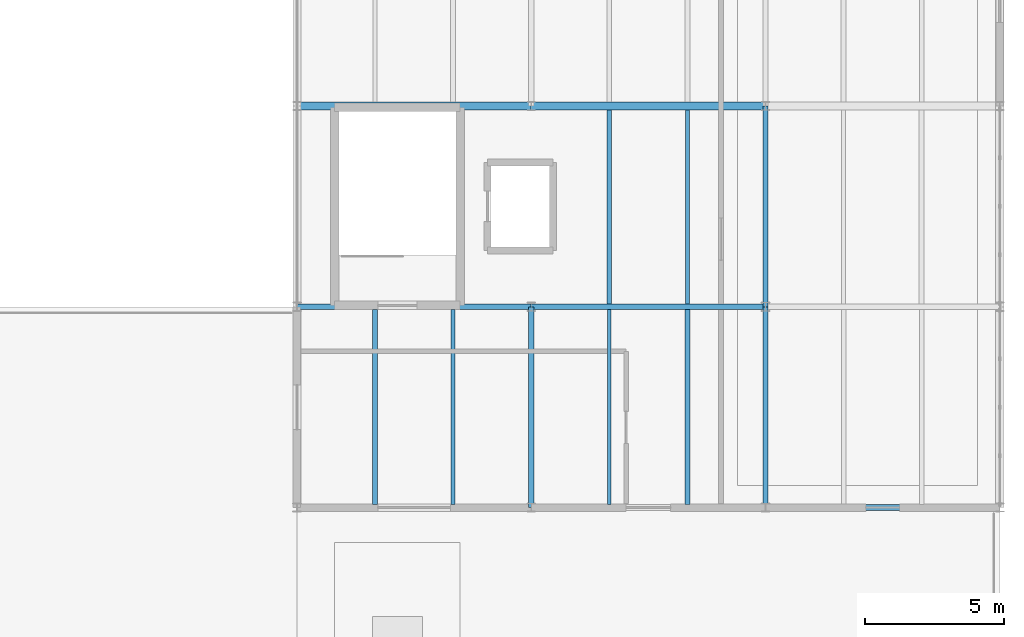
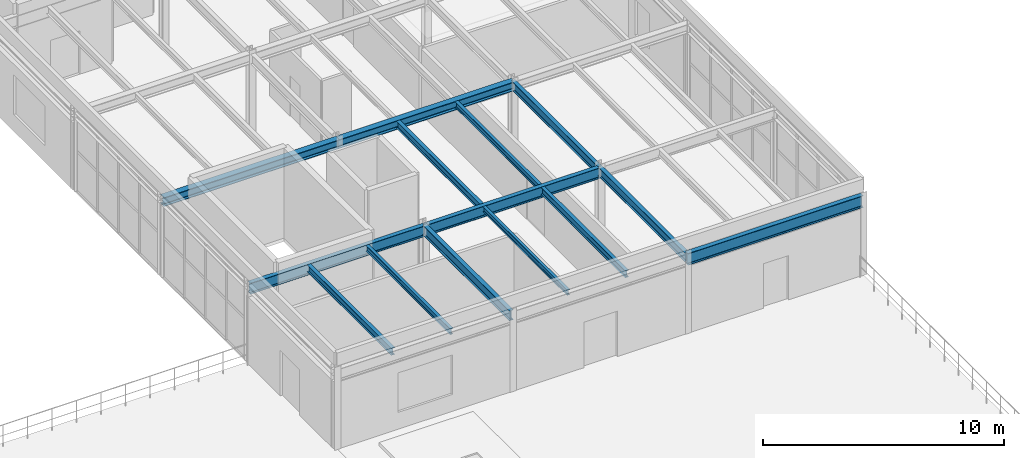
# One storey, part 56 of 77: 14 beams.
"""IFC4 building model written with IfcOpenShell, lengths in metres."""

from ifc_helpers import new_model, si_unit, derived_unit, direction, frame, origin, origin_2d, place, context, subcontext, project, spatial, i_section, extrude, material, material_profile, profile_set, type_object, element, save


model = new_model("IFC4")

# Units and contexts
model_context = context("Model", 3, precision=1e-05, world=origin(), true_north=direction((0.0, 1.0)))
body_context = subcontext(model_context, "Body", "Model", "MODEL_VIEW")
ifc_project = project(units=[si_unit("LENGTHUNIT", "METRE"), si_unit("AREAUNIT", "SQUARE_METRE"), si_unit("VOLUMEUNIT", "CUBIC_METRE"), si_unit("PLANEANGLEUNIT", "RADIAN"), si_unit("MASSUNIT", "GRAM", prefix="KILO"), derived_unit("THERMALTRANSMITTANCEUNIT", [(si_unit("MASSUNIT", "GRAM", prefix="KILO"), 1), (si_unit("TIMEUNIT", "SECOND"), -3), (si_unit("THERMODYNAMICTEMPERATUREUNIT", "KELVIN"), -1)])], contexts=[model_context])

# Site, building, storey
site_placement = place(None, origin())
site = spatial("IfcSite", under=ifc_project, at=site_placement, CompositionType="ELEMENT")
building_placement = place(site_placement, origin())
building = spatial("IfcBuilding", under=site, at=building_placement, Name="Kharveza Railside Sports Centre", CompositionType="ELEMENT")
storey_placement = place(building_placement, frame((0.0, 0.0, 17.10009765625)))
storey = spatial("IfcBuildingStorey", under=building, at=storey_placement, Name="L04", CompositionType="ELEMENT", Elevation=17.10009765625)

# Beams
ifc_material = material(Name="Steel S355J2", Category="steel")
ifc_material_profile_1 = material_profile(ifc_material, i_section(OverallWidth=0.219970703125, OverallDepth=0.60009765625, WebThickness=0.011962890625, FlangeThickness=0.01904296875, FilletRadius=0.02392578125, at=origin_2d()), Name="IPE 600")
ifc_profile_set_1 = profile_set([ifc_material_profile_1], Name="Steel S355J2")
beam_type_1 = type_object("IfcBeamType", Name="BM-G01", PredefinedType="T_BEAM", material=ifc_profile_set_1)
beam_1_placement = place(storey_placement, frame((159.60009765625, 28.800048828125, 3.7099609375), z_axis=(1.0, 0.0, 0.0), x_axis=(0.0, 1.0, 0.0)))
element("IfcBeam", 1, at=beam_1_placement, inside=storey, type_object=beam_type_1, Name="BM-EW-L04-B01-X1596-Y288", PredefinedType="T_BEAM", context=body_context, shape_type="SweptSolid", body=[
    extrude(i_section(OverallWidth=0.219970703125, OverallDepth=0.60009765625, WebThickness=0.011962890625, FlangeThickness=0.01904296875, FilletRadius=0.02392578125, at=origin_2d()), origin(), (0.0, 0.0, 1.0), 8.39990234375),
])
ifc_material_profile_2 = material_profile(ifc_material, i_section(OverallWidth=0.2099609375, OverallDepth=0.550048828125, WebThickness=0.010986328125, FlangeThickness=0.01708984375, FilletRadius=0.02392578125, at=origin_2d()), Name="IPE 550")
ifc_profile_set_2 = profile_set([ifc_material_profile_2], Name="Steel S355J2")
beam_type_2 = type_object("IfcBeamType", Name="BM-G02", PredefinedType="T_BEAM", material=ifc_profile_set_2)
beam_2_placement = place(storey_placement, frame((142.800048828125, 36.0, 3.73486328125), z_axis=(1.0, 0.0, 0.0), x_axis=(0.0, 1.0, 0.0)))
element("IfcBeam", 2, at=beam_2_placement, inside=storey, type_object=beam_type_2, Name="BM-EW-L04-B02-X1428-Y360", PredefinedType="T_BEAM", context=body_context, shape_type="SweptSolid", body=[
    extrude(i_section(OverallWidth=0.2099609375, OverallDepth=0.550048828125, WebThickness=0.010986328125, FlangeThickness=0.01708984375, FilletRadius=0.02392578125, at=origin_2d()), origin(), (0.0, 0.0, 1.0), 8.39990234375),
])
beam_3_placement = place(storey_placement, frame((151.199951171875, 36.0, 3.73486328125), z_axis=(1.0, 0.0, 0.0), x_axis=(0.0, 1.0, 0.0)))
element("IfcBeam", 3, at=beam_3_placement, inside=storey, type_object=beam_type_2, Name="BM-EW-L04-B02-X1512-Y360", PredefinedType="T_BEAM", context=body_context, shape_type="SweptSolid", body=[
    extrude(i_section(OverallWidth=0.2099609375, OverallDepth=0.550048828125, WebThickness=0.010986328125, FlangeThickness=0.01708984375, FilletRadius=0.02392578125, at=origin_2d()), origin(), (0.0, 0.0, 1.0), 8.400146484375),
])
ifc_material_profile_3 = material_profile(ifc_material, i_section(OverallWidth=0.199951171875, OverallDepth=0.5, WebThickness=0.01025390625, FlangeThickness=0.01611328125, FilletRadius=0.02099609375, at=origin_2d()), Name="IPE 500")
ifc_profile_set_3 = profile_set([ifc_material_profile_3], Name="Steel S355J2")
beam_type_3 = type_object("IfcBeamType", Name="BM-G03", PredefinedType="T_BEAM", material=ifc_profile_set_3)
beam_4_placement = place(storey_placement, frame((151.199951171875, 28.800048828125, 3.760009765625), z_axis=(0.0, 1.0, 0.0), x_axis=(-1.0, 0.0, 0.0)))
element("IfcBeam", 4, at=beam_4_placement, inside=storey, type_object=beam_type_3, Name="BM-NS-L04-B03-X1512-Y288", PredefinedType="T_BEAM", context=body_context, shape_type="SweptSolid", body=[
    extrude(i_section(OverallWidth=0.199951171875, OverallDepth=0.5, WebThickness=0.01025390625, FlangeThickness=0.01611328125, FilletRadius=0.02099609375, at=origin_2d()), origin(), (0.0, 0.0, 1.0), 7.199951171875),
])
ifc_material_profile_4 = material_profile(ifc_material, i_section(OverallWidth=0.18994140625, OverallDepth=0.449951171875, WebThickness=0.009521484375, FlangeThickness=0.0146484375, FilletRadius=0.02099609375, at=origin_2d()), Name="IPE 450")
ifc_profile_set_4 = profile_set([ifc_material_profile_4], Name="Steel S355J2")
beam_type_4 = type_object("IfcBeamType", Name="BM-G04", PredefinedType="T_BEAM", material=ifc_profile_set_4)
for number, where, z_axis, x_axis, name in (
    (5, (159.60009765625, 28.800048828125, 3.784912109375), (0.0, 1.0, 0.0), (-1.0, 0.0, 0.0), "BM-NS-L04-B04-X1596-Y288"),
    (6, (159.60009765625, 36.0, 3.784912109375), (0.0, 1.0, 0.0), (-1.0, 0.0, 0.0), "BM-NS-L04-B04-X1596-Y360"),
):
    element("IfcBeam", number, at=place(storey_placement, frame(where, z_axis=z_axis, x_axis=x_axis)), inside=storey, type_object=beam_type_4, Name=name, PredefinedType="T_BEAM", context=body_context, shape_type="SweptSolid", body=[
        extrude(i_section(OverallWidth=0.18994140625, OverallDepth=0.449951171875, WebThickness=0.009521484375, FlangeThickness=0.0146484375, FilletRadius=0.02099609375, at=origin_2d()), origin(), (0.0, 0.0, 1.0), 7.199951171875),
    ])
ifc_material_profile_5 = material_profile(ifc_material, i_section(OverallWidth=0.300048828125, OverallDepth=0.449951171875, WebThickness=0.013916015625, FlangeThickness=0.02587890625, FilletRadius=0.027099609375, at=origin_2d()), Name="HEB 450")
ifc_profile_set_5 = profile_set([ifc_material_profile_5], Name="Steel S355J2")
beam_type_5 = type_object("IfcBeamType", Name="BM-G06", PredefinedType="T_BEAM", material=ifc_profile_set_5)
beam_5_placement = place(storey_placement, frame((142.800048828125, 43.199951171875, 3.784912109375), z_axis=(1.0, 0.0, 0.0), x_axis=(0.0, 1.0, 0.0)))
element("IfcBeam", 7, at=beam_5_placement, inside=storey, type_object=beam_type_5, Name="BM-EW-L04-B06-X1428-Y432", PredefinedType="T_BEAM", context=body_context, shape_type="SweptSolid", body=[
    extrude(i_section(OverallWidth=0.300048828125, OverallDepth=0.449951171875, WebThickness=0.013916015625, FlangeThickness=0.02587890625, FilletRadius=0.027099609375, at=origin_2d()), origin(), (0.0, 0.0, 1.0), 8.39990234375),
])
beam_6_placement = place(storey_placement, frame((151.199951171875, 43.199951171875, 3.784912109375), z_axis=(1.0, 0.0, 0.0), x_axis=(0.0, 1.0, 0.0)))
element("IfcBeam", 8, at=beam_6_placement, inside=storey, type_object=beam_type_5, Name="BM-EW-L04-B06-X1512-Y432", PredefinedType="T_BEAM", context=body_context, shape_type="SweptSolid", body=[
    extrude(i_section(OverallWidth=0.300048828125, OverallDepth=0.449951171875, WebThickness=0.013916015625, FlangeThickness=0.02587890625, FilletRadius=0.027099609375, at=origin_2d()), origin(), (0.0, 0.0, 1.0), 8.400146484375),
])
ifc_material_profile_6 = material_profile(ifc_material, i_section(OverallWidth=0.169921875, OverallDepth=0.360107421875, WebThickness=0.008056640625, FlangeThickness=0.0126953125, FilletRadius=0.01806640625, at=origin_2d()), Name="IPE 360")
ifc_profile_set_6 = profile_set([ifc_material_profile_6], Name="Steel S355J2")
beam_type_6 = type_object("IfcBeamType", Name="BM-S02", PredefinedType="BEAM", material=ifc_profile_set_6)
for number, where, z_axis, x_axis, name in (
    (9, (145.60009765625, 28.906982421875, 3.829833984375), (0.0, 1.0, 0.0), (-1.0, 0.0, 0.0), "BM-SEC-L04-B10-X1456-Y288"),
    (10, (156.800048828125, 28.906982421875, 3.829833984375), (0.0, 1.0, 0.0), (-1.0, 0.0, 0.0), "BM-SEC-L04-B10-X1568-Y288"),
):
    element("IfcBeam", number, at=place(storey_placement, frame(where, z_axis=z_axis, x_axis=x_axis)), inside=storey, type_object=beam_type_6, Name=name, PredefinedType="BEAM", context=body_context, shape_type="SweptSolid", body=[
        extrude(i_section(OverallWidth=0.169921875, OverallDepth=0.360107421875, WebThickness=0.008056640625, FlangeThickness=0.0126953125, FilletRadius=0.01806640625, at=origin_2d()), origin(), (0.0, 0.0, 1.0), 6.990966796875),
    ])
beam_7_placement = place(storey_placement, frame((154.0, 36.10205078125, 3.829833984375), z_axis=(0.0, 1.0, 0.0), x_axis=(-1.0, 0.0, 0.0)))
element("IfcBeam", 11, at=beam_7_placement, inside=storey, type_object=beam_type_6, Name="BM-SEC-L04-B10-X1540-Y360", PredefinedType="BEAM", context=body_context, shape_type="SweptSolid", body=[
    extrude(i_section(OverallWidth=0.169921875, OverallDepth=0.360107421875, WebThickness=0.008056640625, FlangeThickness=0.0126953125, FilletRadius=0.01806640625, at=origin_2d()), origin(), (0.0, 0.0, 1.0), 6.950927734375),
])
ifc_material_profile_7 = material_profile(ifc_material, i_section(OverallWidth=0.14990234375, OverallDepth=0.300048828125, WebThickness=0.007080078125, FlangeThickness=0.0107421875, FilletRadius=0.014892578125, at=origin_2d()), Name="IPE 300")
ifc_profile_set_7 = profile_set([ifc_material_profile_7], Name="Steel S355J2")
beam_type_7 = type_object("IfcBeamType", Name="BM-S04", PredefinedType="BEAM", material=ifc_profile_set_7)
beam_8_placement = place(storey_placement, frame((148.39990234375, 28.906982421875, 3.85986328125), z_axis=(0.0, 1.0, 0.0), x_axis=(-1.0, 0.0, 0.0)))
element("IfcBeam", 12, at=beam_8_placement, inside=storey, type_object=beam_type_7, Name="BM-SEC-L04-B12-X1484-Y288", PredefinedType="BEAM", context=body_context, shape_type="SweptSolid", body=[
    extrude(i_section(OverallWidth=0.14990234375, OverallDepth=0.300048828125, WebThickness=0.007080078125, FlangeThickness=0.0107421875, FilletRadius=0.014892578125, at=origin_2d()), origin(), (0.0, 0.0, 1.0), 6.990966796875),
])
beam_9_placement = place(storey_placement, frame((156.800048828125, 36.10205078125, 3.85986328125), z_axis=(0.0, 1.0, 0.0), x_axis=(-1.0, 0.0, 0.0)))
element("IfcBeam", 13, at=beam_9_placement, inside=storey, type_object=beam_type_7, Name="BM-SEC-L04-B12-X1568-Y360", PredefinedType="BEAM", context=body_context, shape_type="SweptSolid", body=[
    extrude(i_section(OverallWidth=0.14990234375, OverallDepth=0.300048828125, WebThickness=0.007080078125, FlangeThickness=0.0107421875, FilletRadius=0.014892578125, at=origin_2d()), origin(), (0.0, 0.0, 1.0), 6.950927734375),
])
ifc_material_profile_8 = material_profile(ifc_material, i_section(OverallWidth=0.135009765625, OverallDepth=0.27001953125, WebThickness=0.006591796875, FlangeThickness=0.01025390625, FilletRadius=0.014892578125, at=origin_2d()), Name="IPE 270")
ifc_profile_set_8 = profile_set([ifc_material_profile_8], Name="Steel S355J2")
beam_type_8 = type_object("IfcBeamType", Name="BM-S05", PredefinedType="BEAM", material=ifc_profile_set_8)
beam_10_placement = place(storey_placement, frame((154.0, 28.906982421875, 3.875), z_axis=(0.0, 1.0, 0.0), x_axis=(-1.0, 0.0, 0.0)))
element("IfcBeam", 14, at=beam_10_placement, inside=storey, type_object=beam_type_8, Name="BM-SEC-L04-B13-X1540-Y288", PredefinedType="BEAM", context=body_context, shape_type="SweptSolid", body=[
    extrude(i_section(OverallWidth=0.135009765625, OverallDepth=0.27001953125, WebThickness=0.006591796875, FlangeThickness=0.01025390625, FilletRadius=0.014892578125, at=origin_2d()), origin(), (0.0, 0.0, 1.0), 6.990966796875),
])

save(model, "model.ifc")
